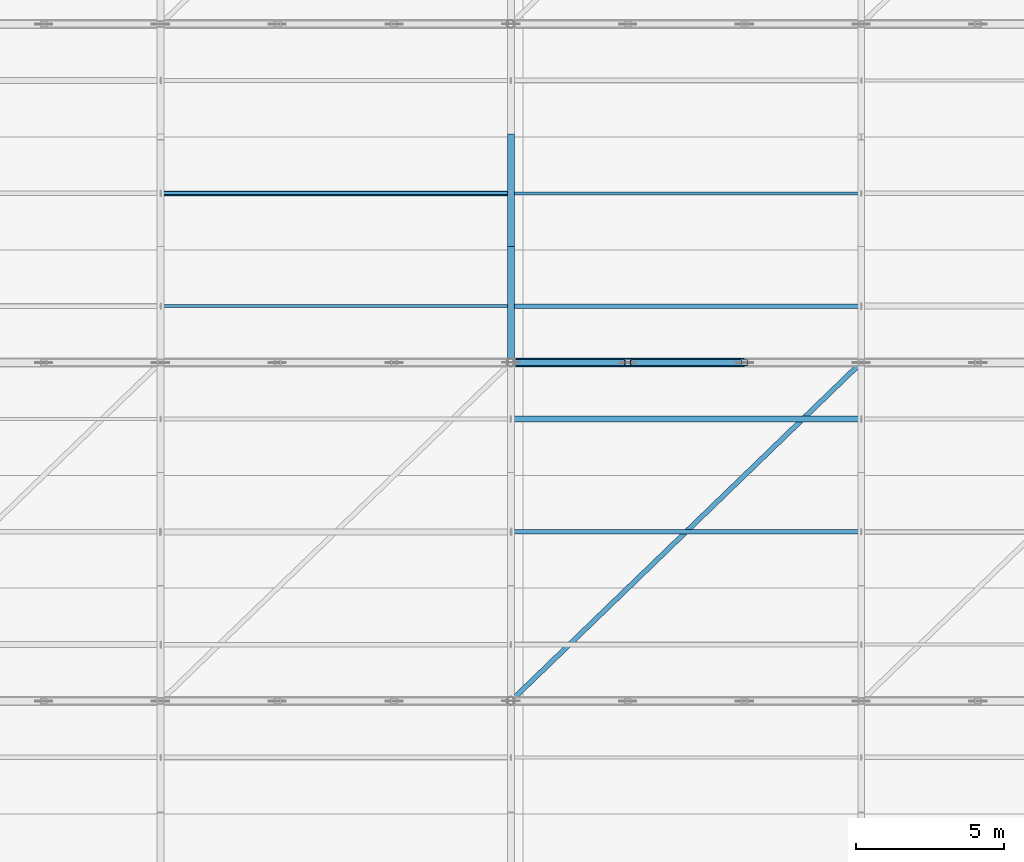
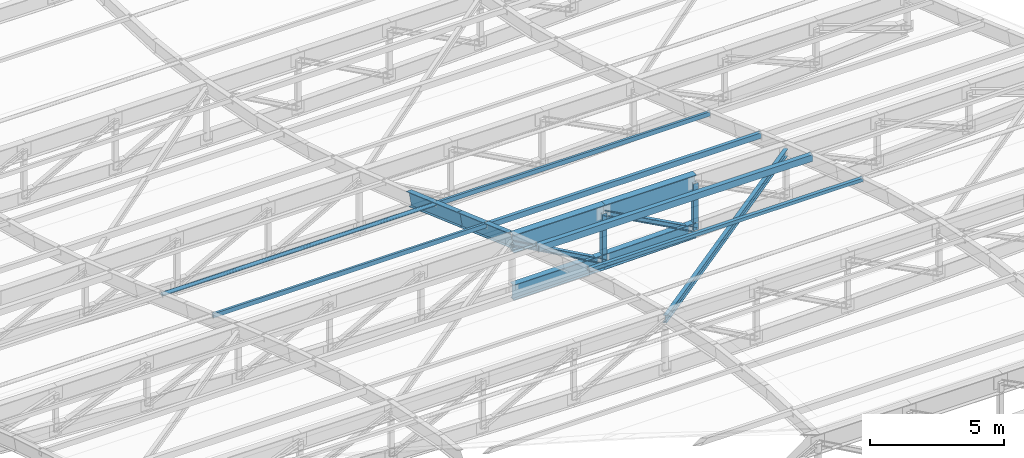
# One storey, part 10 of 65: 13 members, 4 beams.
"""IFC4 building model written with IfcOpenShell, lengths in metres."""

from ifc_helpers import new_model, si_unit, direction, frame, origin, origin_2d, place, context, subcontext, project, spatial, hollow_rectangle, hollow_circle, i_section, extrude, material, material_profile, profile_set, type_object, element, save


model = new_model("IFC4")

# Units and contexts
model_context = context("Model", 3, precision=1e-05, world=origin(), true_north=direction((0.0, 1.0)))
body_context = subcontext(model_context, "Body", "Model", "MODEL_VIEW")
ifc_project = project(units=[si_unit("LENGTHUNIT", "METRE"), si_unit("AREAUNIT", "SQUARE_METRE"), si_unit("VOLUMEUNIT", "CUBIC_METRE"), si_unit("PLANEANGLEUNIT", "RADIAN"), si_unit("MASSUNIT", "GRAM", prefix="KILO"), si_unit("POWERUNIT", "WATT"), si_unit("THERMODYNAMICTEMPERATUREUNIT", "KELVIN")], contexts=[model_context])

# Site, building, storey
site_placement = place(None, origin())
site = spatial("IfcSite", under=ifc_project, at=site_placement, CompositionType="ELEMENT")
building_placement = place(site_placement, origin())
building = spatial("IfcBuilding", under=site, at=building_placement, Name="Kelmbourne Parkland Aquatics Centre", CompositionType="ELEMENT")
storey_placement = place(building_placement, frame((0.0, 0.0, 27.0)))
storey = spatial("IfcBuildingStorey", under=building, at=storey_placement, Name="RF", CompositionType="ELEMENT", Elevation=27.0)

# Members
ifc_material_1 = material(Name="Structural steel AS/NZS 3679.1 Grade 300", Category="steel")
ifc_material_profile_1 = material_profile(ifc_material_1, i_section(OverallWidth=0.166015625, OverallDepth=0.306884765625, WebThickness=0.006591796875, FlangeThickness=0.01171875, at=origin_2d()), Name="310UB46.2")
ifc_profile_set_1 = profile_set([ifc_material_profile_1], Name="Structural steel AS/NZS 3679.1 Grade 300")
member_type_1 = type_object("IfcMemberType", Name="MB-BR-I", PredefinedType="BRACE", material=ifc_profile_set_1)
member_1_placement = place(storey_placement, frame((151.60693359375, 12.206787109375, -2.15283203125), z_axis=(0.704133319578, 0.680256729882, -0.203585485017), x_axis=(-0.694807972231, 0.719195301517, 0.0)))
element("IfcMember", 1, at=member_1_placement, inside=storey, type_object=member_type_1, Name="Roof wind diagonal brace B2-69", PredefinedType="BRACE", context=body_context, shape_type="SweptSolid", body=[
    extrude(i_section(OverallWidth=0.166015625, OverallDepth=0.306884765625, WebThickness=0.006591796875, FlangeThickness=0.01171875, at=origin_2d()), origin(), (0.0, 0.0, 1.0), 16.738525390625),
])
ifc_material_profile_2 = material_profile(ifc_material_1, i_section(OverallWidth=0.205078125, OverallDepth=0.2099609375, WebThickness=0.00927734375, FlangeThickness=0.01416015625, at=origin_2d()), Name="200UC59.5")
ifc_profile_set_2 = profile_set([ifc_material_profile_2], Name="Structural steel AS/NZS 3679.1 Grade 300")
member_type_2 = type_object("IfcMemberType", Name="MB-DIAG3", PredefinedType="STRUT", material=ifc_profile_set_2)
member_2_placement = place(storey_placement, frame((151.60009765625, 23.60009765625, -5.5625), z_axis=(0.87212726535, 0.0, -0.489279095235), x_axis=(0.0, 1.0, 0.0)))
element("IfcMember", 2, at=member_2_placement, inside=storey, type_object=member_type_2, Name="Roof truss R02 web diagonal 7", PredefinedType="STRUT", context=body_context, shape_type="SweptSolid", body=[
    extrude(i_section(OverallWidth=0.205078125, OverallDepth=0.2099609375, WebThickness=0.00927734375, FlangeThickness=0.01416015625, at=origin_2d()), origin(), (0.0, 0.0, 1.0), 4.509765625),
])
member_3_placement = place(storey_placement, frame((155.533203125, 23.60009765625, -5.5625), z_axis=(0.878819450955, 0.0, -0.477154453634), x_axis=(0.0, 1.0, 0.0)))
element("IfcMember", 3, at=member_3_placement, inside=storey, type_object=member_type_2, Name="Roof truss R02 web diagonal 8", PredefinedType="STRUT", context=body_context, shape_type="SweptSolid", body=[
    extrude(i_section(OverallWidth=0.205078125, OverallDepth=0.2099609375, WebThickness=0.00927734375, FlangeThickness=0.01416015625, at=origin_2d()), origin(), (0.0, 0.0, 1.0), 4.47607421875),
])
ifc_material_profile_3 = material_profile(ifc_material_1, i_section(OverallWidth=0.22900390625, OverallDepth=0.612060546875, WebThickness=0.011962890625, FlangeThickness=0.01953125, at=origin_2d()), Name="610UB125")
ifc_profile_set_3 = profile_set([ifc_material_profile_3], Name="Structural steel AS/NZS 3679.1 Grade 300")
member_type_3 = type_object("IfcMemberType", Name="MB-LRIB", PredefinedType="STRUT", material=ifc_profile_set_3)
member_4_placement = place(storey_placement, frame((151.60009765625, 23.60009765625, -5.442626953125), z_axis=(0.0, 0.941714530219, -0.336413055), x_axis=(-1.0, 0.0, 0.0)))
element("IfcMember", 4, at=member_4_placement, inside=storey, type_object=member_type_3, Name="Longitudinal wave rib K6 strip 07", PredefinedType="STRUT", context=body_context, shape_type="SweptSolid", body=[
    extrude(i_section(OverallWidth=0.22900390625, OverallDepth=0.612060546875, WebThickness=0.011962890625, FlangeThickness=0.01953125, at=origin_2d()), origin(), (0.0, 0.0, 1.0), 4.034912109375),
])
member_5_placement = place(storey_placement, frame((151.60009765625, 27.39990234375, -6.800048828125), z_axis=(0.0, 0.941721377318, -0.336393887433), x_axis=(-1.0, 0.0, 0.0)))
element("IfcMember", 5, at=member_5_placement, inside=storey, type_object=member_type_3, Name="Longitudinal wave rib K6 strip 08", PredefinedType="STRUT", context=body_context, shape_type="SweptSolid", body=[
    extrude(i_section(OverallWidth=0.22900390625, OverallDepth=0.612060546875, WebThickness=0.011962890625, FlangeThickness=0.01953125, at=origin_2d()), origin(), (0.0, 0.0, 1.0), 4.03515625),
])
ifc_material_2 = material(Name="Cold-formed hollow steel AS/NZS 1163 C350L0", Category="steel")
ifc_material_profile_4 = material_profile(ifc_material_2, hollow_rectangle(XDim=0.199951171875, YDim=0.199951171875, WallThickness=0.010009765625, at=origin_2d()), Name="SHS 200x200x10.0")
ifc_profile_set_4 = profile_set([ifc_material_profile_4], Name="Cold-formed hollow steel AS/NZS 1163 C350L0")
member_type_4 = type_object("IfcMemberType", Name="MB-POST1", PredefinedType="STRUT", material=ifc_profile_set_4)
member_6_placement = place(storey_placement, frame((155.533203125, 23.60009765625, -7.76904296875), z_axis=(0.0, 0.0, 1.0), x_axis=(1.0, 0.0, 0.0)))
element("IfcMember", 6, at=member_6_placement, inside=storey, type_object=member_type_4, Name="Roof truss R02 vertical post 7", PredefinedType="STRUT", context=body_context, shape_type="SweptSolid", body=[
    extrude(hollow_rectangle(XDim=0.199951171875, YDim=0.199951171875, WallThickness=0.010009765625, at=origin_2d()), origin(), (0.0, 0.0, 1.0), 2.20654296875),
])
member_7_placement = place(storey_placement, frame((159.466796875, 23.60009765625, -7.6982421875), z_axis=(0.0, 0.0, 1.0), x_axis=(1.0, 0.0, 0.0)))
element("IfcMember", 7, at=member_7_placement, inside=storey, type_object=member_type_4, Name="Roof truss R02 vertical post 8", PredefinedType="STRUT", context=body_context, shape_type="SweptSolid", body=[
    extrude(hollow_rectangle(XDim=0.199951171875, YDim=0.199951171875, WallThickness=0.010009765625, at=origin_2d()), origin(), (0.0, 0.0, 1.0), 2.1357421875),
])
ifc_material_profile_5 = material_profile(ifc_material_2, hollow_rectangle(XDim=0.10009765625, YDim=0.199951171875, WallThickness=0.006103515625, at=origin_2d()), Name="RHS 200x100x6.0")
ifc_profile_set_5 = profile_set([ifc_material_profile_5], Name="Cold-formed hollow steel AS/NZS 1163 C350L0")
member_type_5 = type_object("IfcMemberType", Name="MB-PUR1", PredefinedType="PURLIN", material=ifc_profile_set_5)
member_8_placement = place(storey_placement, frame((139.800048828125, 25.5, -5.911376953125), z_axis=(1.0, 0.0, 0.0), x_axis=(0.0, 1.0, 0.0)))
element("IfcMember", 8, at=member_8_placement, inside=storey, type_object=member_type_5, Name="Wave roof purlin S07-G2", PredefinedType="PURLIN", context=body_context, shape_type="SweptSolid", body=[
    extrude(hollow_rectangle(XDim=0.10009765625, YDim=0.199951171875, WallThickness=0.006103515625, at=origin_2d()), origin(), (0.0, 0.0, 1.0), 11.800048828125),
])
member_9_placement = place(storey_placement, frame((151.60009765625, 29.300048828125, -7.268798828125), z_axis=(1.0, 0.0, 0.0), x_axis=(0.0, 1.0, 0.0)))
element("IfcMember", 9, at=member_9_placement, inside=storey, type_object=member_type_5, Name="Wave roof purlin S08-G3", PredefinedType="PURLIN", context=body_context, shape_type="SweptSolid", body=[
    extrude(hollow_rectangle(XDim=0.10009765625, YDim=0.199951171875, WallThickness=0.006103515625, at=origin_2d()), origin(), (0.0, 0.0, 1.0), 11.7998046875),
])
ifc_material_profile_6 = material_profile(ifc_material_2, hollow_rectangle(XDim=0.14990234375, YDim=0.25, WallThickness=0.009033203125, at=origin_2d()), Name="RHS 250x150x9.0")
ifc_profile_set_6 = profile_set([ifc_material_profile_6], Name="Cold-formed hollow steel AS/NZS 1163 C350L0")
member_type_6 = type_object("IfcMemberType", Name="MB-PUR2", PredefinedType="PURLIN", material=ifc_profile_set_6)
member_10_placement = place(storey_placement, frame((151.60009765625, 25.5, -5.936279296875), z_axis=(1.0, 0.0, 0.0), x_axis=(0.0, 1.0, 0.0)))
element("IfcMember", 10, at=member_10_placement, inside=storey, type_object=member_type_6, Name="Wave roof purlin S07-G3", PredefinedType="PURLIN", context=body_context, shape_type="SweptSolid", body=[
    extrude(hollow_rectangle(XDim=0.14990234375, YDim=0.25, WallThickness=0.009033203125, at=origin_2d()), origin(), (0.0, 0.0, 1.0), 11.7998046875),
])
ifc_material_profile_7 = material_profile(ifc_material_2, hollow_rectangle(XDim=0.199951171875, YDim=0.300048828125, WallThickness=0.010009765625, at=origin_2d()), Name="RHS 300x200x10.0")
ifc_profile_set_7 = profile_set([ifc_material_profile_7], Name="Cold-formed hollow steel AS/NZS 1163 C350L0")
member_type_7 = type_object("IfcMemberType", Name="MB-PUR3", PredefinedType="PURLIN", material=ifc_profile_set_7)
member_11_placement = place(storey_placement, frame((151.60009765625, 21.699951171875, -4.637939453125), z_axis=(1.0, 0.0, 0.0), x_axis=(0.0, 1.0, 0.0)))
element("IfcMember", 11, at=member_11_placement, inside=storey, type_object=member_type_7, Name="Wave roof purlin S06-G3", PredefinedType="PURLIN", context=body_context, shape_type="SweptSolid", body=[
    extrude(hollow_rectangle(XDim=0.199951171875, YDim=0.300048828125, WallThickness=0.010009765625, at=origin_2d()), origin(), (0.0, 0.0, 1.0), 11.7998046875),
])
ifc_material_profile_8 = material_profile(ifc_material_2, hollow_rectangle(XDim=0.14990234375, YDim=0.14990234375, WallThickness=0.009033203125, at=origin_2d()), Name="SHS 150x150x9.0")
ifc_profile_set_8 = profile_set([ifc_material_profile_8], Name="Cold-formed hollow steel AS/NZS 1163 C350L0")
member_type_8 = type_object("IfcMemberType", Name="MB-PUR4", PredefinedType="PURLIN", material=ifc_profile_set_8)
member_12_placement = place(storey_placement, frame((151.60009765625, 17.89990234375, -3.340087890625), z_axis=(1.0, 0.0, 0.0), x_axis=(0.0, 1.0, 0.0)))
element("IfcMember", 12, at=member_12_placement, inside=storey, type_object=member_type_8, Name="Wave roof purlin S05-G3", PredefinedType="PURLIN", context=body_context, shape_type="SweptSolid", body=[
    extrude(hollow_rectangle(XDim=0.14990234375, YDim=0.14990234375, WallThickness=0.009033203125, at=origin_2d()), origin(), (0.0, 0.0, 1.0), 11.7998046875),
])
ifc_material_profile_9 = material_profile(ifc_material_2, hollow_circle(Radius=0.084228515625, WallThickness=0.007080078125, at=origin_2d()), Name="CHS 168.3x7.1")
ifc_profile_set_9 = profile_set([ifc_material_profile_9], Name="Cold-formed hollow steel AS/NZS 1163 C350L0")
member_type_9 = type_object("IfcMemberType", Name="MB-PUR5", PredefinedType="PURLIN", material=ifc_profile_set_9)
member_13_placement = place(storey_placement, frame((139.800048828125, 29.300048828125, -7.2529296875), z_axis=(1.0, 0.0, 0.0), x_axis=(0.0, 1.0, 0.0)))
element("IfcMember", 13, at=member_13_placement, inside=storey, type_object=member_type_9, Name="Wave roof purlin S08-G2", PredefinedType="PURLIN", context=body_context, shape_type="SweptSolid", body=[
    extrude(hollow_circle(Radius=0.084228515625, WallThickness=0.007080078125, at=origin_2d()), origin(), (0.0, 0.0, 1.0), 11.800048828125),
])

# Beams
ifc_material_3 = material(Name="Welded plate steel AS/NZS 3678 Grade 350", Category="steel")
ifc_material_profile_10 = material_profile(ifc_material_3, i_section(OverallWidth=0.25, OverallDepth=0.699951171875, WebThickness=0.010009765625, FlangeThickness=0.02001953125, at=origin_2d()), Name="700WB130")
ifc_profile_set_10 = profile_set([ifc_material_profile_10], Name="Welded plate steel AS/NZS 3678 Grade 350")
beam_type_1 = type_object("IfcBeamType", Name="TR-BC2", PredefinedType="BEAM", material=ifc_profile_set_10)
beam_1_placement = place(storey_placement, frame((151.60009765625, 23.60009765625, -7.79248046875), z_axis=(0.999982245444, 0.0, 0.005958925857), x_axis=(0.0, 1.0, 0.0)))
element("IfcBeam", 14, at=beam_1_placement, inside=storey, type_object=beam_type_1, Name="Roof truss R02 bottom chord 7", PredefinedType="BEAM", context=body_context, shape_type="SweptSolid", body=[
    extrude(i_section(OverallWidth=0.25, OverallDepth=0.699951171875, WebThickness=0.010009765625, FlangeThickness=0.02001953125, at=origin_2d()), origin(), (0.0, 0.0, 1.0), 3.93310546875),
])
beam_2_placement = place(storey_placement, frame((155.533203125, 23.60009765625, -7.76904296875), z_axis=(0.999838057221, 0.0, 0.017996092142), x_axis=(0.0, 1.0, 0.0)))
element("IfcBeam", 15, at=beam_2_placement, inside=storey, type_object=beam_type_1, Name="Roof truss R02 bottom chord 8", PredefinedType="BEAM", context=body_context, shape_type="SweptSolid", body=[
    extrude(i_section(OverallWidth=0.25, OverallDepth=0.699951171875, WebThickness=0.010009765625, FlangeThickness=0.02001953125, at=origin_2d()), origin(), (0.0, 0.0, 1.0), 3.934326171875),
])
ifc_material_profile_11 = material_profile(ifc_material_3, i_section(OverallWidth=0.300048828125, OverallDepth=0.81591796875, WebThickness=0.011962890625, FlangeThickness=0.028076171875, at=origin_2d()), Name="800WB192")
ifc_profile_set_11 = profile_set([ifc_material_profile_11], Name="Welded plate steel AS/NZS 3678 Grade 350")
beam_type_2 = type_object("IfcBeamType", Name="TR-TC2", PredefinedType="BEAM", material=ifc_profile_set_11)
beam_3_placement = place(storey_placement, frame((151.60009765625, 23.60009765625, -5.5625), z_axis=(1.0, 0.0, 0.0), x_axis=(0.0, 1.0, 0.0)))
element("IfcBeam", 16, at=beam_3_placement, inside=storey, type_object=beam_type_2, Name="Roof truss R02 top chord 7", PredefinedType="BEAM", context=body_context, shape_type="SweptSolid", body=[
    extrude(i_section(OverallWidth=0.300048828125, OverallDepth=0.81591796875, WebThickness=0.011962890625, FlangeThickness=0.028076171875, at=origin_2d()), origin(), (0.0, 0.0, 1.0), 3.93310546875),
])
beam_4_placement = place(storey_placement, frame((155.533203125, 23.60009765625, -5.5625), z_axis=(1.0, 0.0, 0.0), x_axis=(0.0, 1.0, 0.0)))
element("IfcBeam", 17, at=beam_4_placement, inside=storey, type_object=beam_type_2, Name="Roof truss R02 top chord 8", PredefinedType="BEAM", context=body_context, shape_type="SweptSolid", body=[
    extrude(i_section(OverallWidth=0.300048828125, OverallDepth=0.81591796875, WebThickness=0.011962890625, FlangeThickness=0.028076171875, at=origin_2d()), origin(), (0.0, 0.0, 1.0), 3.93359375),
])

save(model, "model.ifc")
